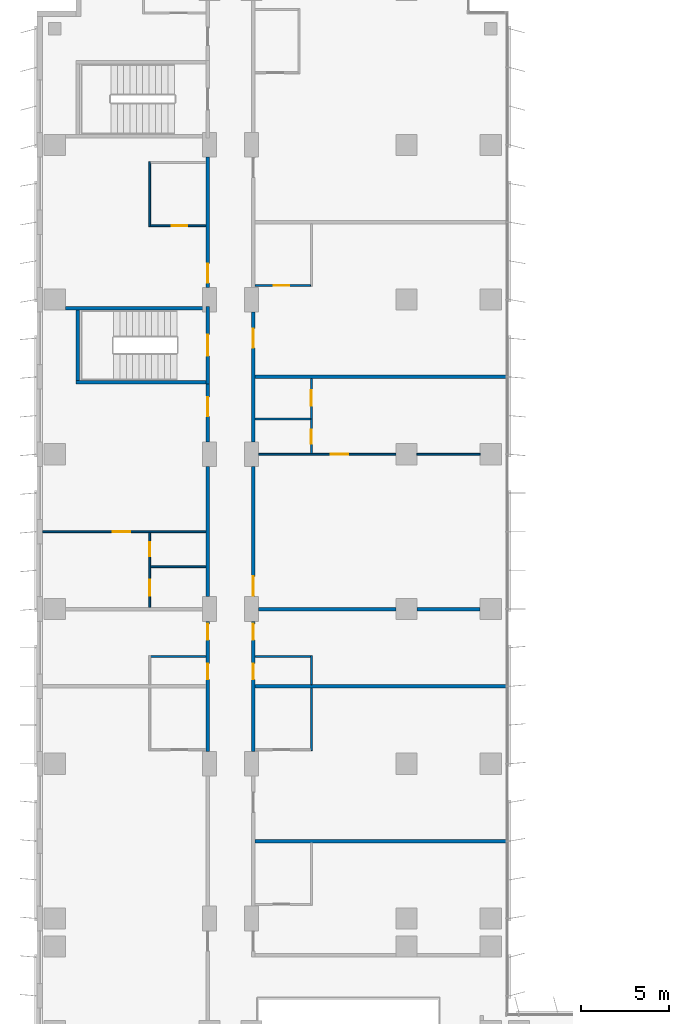
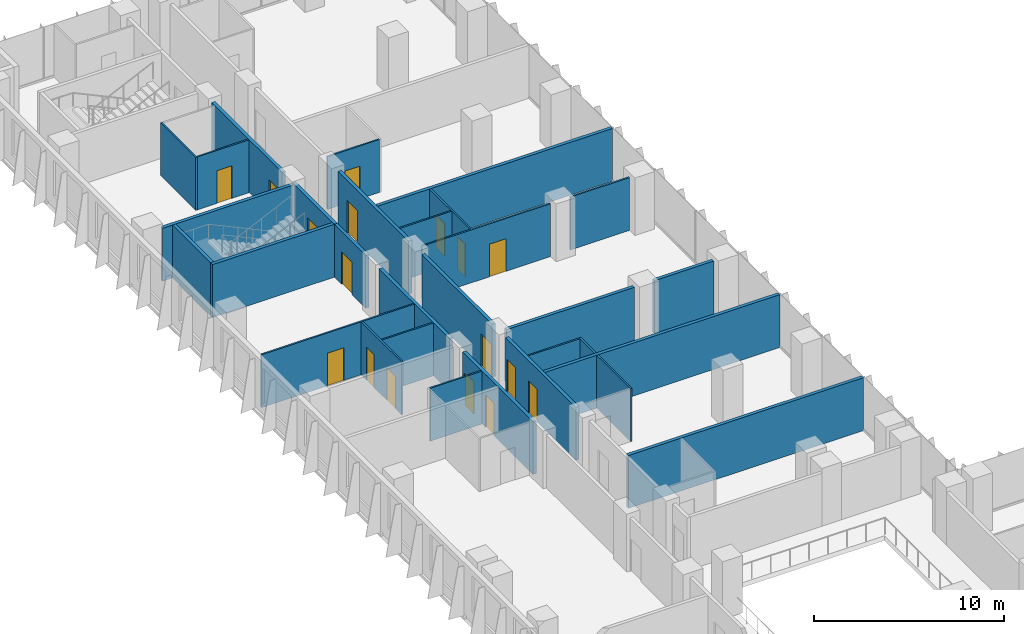
# One storey, part 16 of 22: 30 walls, 17 doors, 17 openings.
"""IFC4 building model written with IfcOpenShell, lengths in metres."""

import ifcopenshell
import ifcopenshell.guid

model = None  # the IFC model being written
_history = None  # IfcOwnerHistory: only IFC2X3 demands one
_inside = {}  # id of a spatial element -> (the spatial element, [elements in it])
_under = {}  # id of a project, library or spatial element -> (it, [spatial elements below it])
_declared = {}  # id of a project -> (the project, [libraries it declares])
_typed = {}  # id of a type object -> (the type object, [elements of that type])
_made_of = {}  # id of a material, layer set ... -> (it, [elements and type objects made of it])


def new_model(schema):
    """Start an empty IFC model of exactly this schema.

    Asked for "IFC4X3", IfcOpenShell would pick the latest addendum, in which some entities
    have other attributes; the version numbers below select the first issue.
    IFC2X3 requires an IfcOwnerHistory on every rooted entity: one is made here for all.
    """
    global model, _history
    if schema == "IFC4X3":
        model = ifcopenshell.file(schema_version=(4, 3, 0, 0))
    else:
        model = ifcopenshell.file(schema=schema)
    _inside.clear()
    _under.clear()
    _declared.clear()
    _typed.clear()
    _made_of.clear()
    _history = None
    if model.schema == "IFC2X3":
        org = make("IfcOrganization", Name="unknown")
        user = make(
            "IfcPersonAndOrganization",
            ThePerson=make("IfcPerson", FamilyName="unknown"),
            TheOrganization=org,
        )
        app = make(
            "IfcApplication",
            ApplicationDeveloper=org,
            Version="unknown",
            ApplicationFullName="unknown",
            ApplicationIdentifier="unknown",
        )
        _history = make(
            "IfcOwnerHistory",
            OwningUser=user,
            OwningApplication=app,
            ChangeAction="ADDED",
            CreationDate=0,
        )
    return model


def make(cls, **values):
    """One entity of the class cls with the attributes given. An attribute that is None is left unset."""
    return model.create_entity(
        cls, **{name: value for name, value in values.items() if value is not None}
    )


def rooted(cls, **values):
    """An entity with a GlobalId (a new one), such as an element, a storey or a relation."""
    return make(cls, GlobalId=ifcopenshell.guid.new(), OwnerHistory=_history, **values)


def si_unit(unit_type, name, prefix=None):
    """IfcSIUnit, for example si_unit("LENGTHUNIT", "METRE", prefix="MILLI")."""
    return make("IfcSIUnit", UnitType=unit_type, Prefix=prefix, Name=name)


def assignment(units):
    """IfcUnitAssignment: the units of a project."""
    return None if units is None else make("IfcUnitAssignment", Units=units)


def point(xyz):
    """IfcCartesianPoint."""
    return None if xyz is None else make("IfcCartesianPoint", Coordinates=xyz)


def direction(xyz):
    """IfcDirection."""
    return None if xyz is None else make("IfcDirection", DirectionRatios=xyz)


def frame(location, z_axis=None, x_axis=None):
    """IfcAxis2Placement3D, a coordinate frame: its origin and axes. An axis left out is left unset."""
    return make(
        "IfcAxis2Placement3D",
        Location=point(location),
        Axis=direction(z_axis),
        RefDirection=direction(x_axis),
    )


def frame_2d(location, x_axis=None):
    """IfcAxis2Placement2D, a coordinate frame in the plane: its origin and x axis."""
    return make(
        "IfcAxis2Placement2D", Location=point(location), RefDirection=direction(x_axis)
    )


def origin():
    """The frame at (0, 0, 0) with its axes left unset."""
    return frame((0.0, 0.0, 0.0))


def place(relative_to, where):
    """IfcLocalPlacement: puts the frame where relative to a parent placement (None: the world)."""
    return make(
        "IfcLocalPlacement", PlacementRelTo=relative_to, RelativePlacement=where
    )


def context(
    kind, dimensions, precision=None, world=None, true_north=None, identifier=None
):
    """IfcGeometricRepresentationContext, for example the 3D "Model" context."""
    return make(
        "IfcGeometricRepresentationContext",
        ContextIdentifier=identifier,
        ContextType=kind,
        CoordinateSpaceDimension=dimensions,
        Precision=precision,
        WorldCoordinateSystem=world,
        TrueNorth=true_north,
    )


def subcontext(parent, identifier, kind, view, scale=None):
    """IfcGeometricRepresentationSubContext, for example "Body" below "Model"."""
    return make(
        "IfcGeometricRepresentationSubContext",
        ContextIdentifier=identifier,
        ContextType=kind,
        ParentContext=parent,
        TargetScale=scale,
        TargetView=view,
    )


def project(units=None, contexts=None):
    """IfcProject with its units and contexts."""
    return rooted(
        "IfcProject",
        Name="project",
        RepresentationContexts=contexts,
        UnitsInContext=assignment(units),
    )


def spatial(cls, under=None, at=None, **own):
    """A site, building, storey or space (cls), placed at a placement, below another one or the project."""
    s = rooted(cls, ObjectPlacement=at, **own)
    if under is not None:
        _under.setdefault(under.id(), (under, []))[1].append(s)
    return s


def profile(cls, at=None, kind="AREA", **sizes):
    """A parametric profile (cls). Its sizes go by their IFC names, for example OverallWidth=200.0."""
    return make(cls, ProfileType=kind, Position=at, **sizes)


def rectangle(**sizes):
    """IfcRectangleProfileDef."""
    return profile("IfcRectangleProfileDef", **sizes)


def extrude(swept, where, along, depth):
    """IfcExtrudedAreaSolid: the profile swept, set in the frame where, extruded along a direction by depth."""
    return make(
        "IfcExtrudedAreaSolid",
        SweptArea=swept,
        Position=where,
        ExtrudedDirection=direction(along),
        Depth=depth,
    )


def shape(context_of_items, identifier, shape_type, items):
    """IfcShapeRepresentation: the items that make up one representation, for example the "Body"."""
    return make(
        "IfcShapeRepresentation",
        ContextOfItems=context_of_items,
        RepresentationIdentifier=identifier,
        RepresentationType=shape_type,
        Items=items,
    )


def material(Name=None, Category=None):
    """IfcMaterial."""
    return make("IfcMaterial", Name=Name, Category=Category)


def layer(
    of_material, thickness, ventilated=None, Name=None, Category=None, Priority=None
):
    """IfcMaterialLayer: one layer of a wall or slab, of a material (None: an air gap)."""
    return make(
        "IfcMaterialLayer",
        Material=of_material,
        LayerThickness=thickness,
        IsVentilated=ventilated,
        Name=Name,
        Category=Category,
        Priority=Priority,
    )


def layer_set(layers, Name=None):
    """IfcMaterialLayerSet."""
    return make("IfcMaterialLayerSet", MaterialLayers=layers, LayerSetName=Name)


def made_of(thing, what):
    """Note that an element or type object is made of a material, layer set ...; save() writes the relation."""
    if what is not None:
        _made_of.setdefault(what.id(), (what, []))[1].append(thing)
    return thing


def type_object(cls, material=None, **own):
    """A type object (cls), such as IfcWallType, which elements share."""
    return made_of(rooted(cls, **own), material)


def element(
    cls,
    number,
    at=None,
    inside=None,
    cuts=None,
    type_object=None,
    material=None,
    context=None,
    identifier="Body",
    shape_type=None,
    held_by="IfcProductDefinitionShape",
    body=None,
    shapes=None,
    **own,
):
    """One element of the class cls, such as IfcWall. Its Tag is "e" and its number.

    at: its placement. inside: the storey or other place that contains it. cuts: it is an
    opening in that element (IfcRelVoidsElement). A single representation is given by context,
    identifier, shape_type and body (its items); several are given by shapes. held_by: the class
    of the entity that holds the representations. save() writes the other relations.
    """
    e = rooted(cls, Tag="e%d" % number, ObjectPlacement=at, **own)
    if body is not None:
        shapes = [shape(context, identifier, shape_type, body)]
    if shapes is not None:
        e.Representation = make(held_by, Representations=shapes)
    if inside is not None:
        _inside.setdefault(inside.id(), (inside, []))[1].append(e)
    if cuts is not None:
        rooted(
            "IfcRelVoidsElement", RelatingBuildingElement=cuts, RelatedOpeningElement=e
        )
    if type_object is not None:
        _typed.setdefault(type_object.id(), (type_object, []))[1].append(e)
    return made_of(e, material)


def fill(opening, filler):
    """IfcRelFillsElement: the door or window that sits in an opening."""
    return rooted(
        "IfcRelFillsElement",
        RelatingOpeningElement=opening,
        RelatedBuildingElement=filler,
    )


def aggregate(whole, parts):
    """IfcRelAggregates: a whole, such as a stair, and the parts it consists of."""
    return rooted("IfcRelAggregates", RelatingObject=whole, RelatedObjects=parts)


def save(model, path):
    """Write the relations noted so far, then the file.

    IfcRelAggregates (storeys below a building ...), IfcRelContainedInSpatialStructure (elements
    in a storey), IfcRelDefinesByType, IfcRelAssociatesMaterial and IfcRelDeclares: one each for
    every whole, place, type object, material and project.
    """
    for whole, parts in _under.values():
        aggregate(whole, parts)
    for where, things in _inside.values():
        rooted(
            "IfcRelContainedInSpatialStructure",
            RelatedElements=things,
            RelatingStructure=where,
        )
    for kind, things in _typed.values():
        rooted("IfcRelDefinesByType", RelatedObjects=things, RelatingType=kind)
    for what, things in _made_of.values():
        rooted("IfcRelAssociatesMaterial", RelatedObjects=things, RelatingMaterial=what)
    for by, libraries in _declared.values():
        rooted("IfcRelDeclares", RelatingContext=by, RelatedDefinitions=libraries)
    model.write(path)


model = new_model("IFC4")

# Units and contexts
model_context = context("Model", 3, precision=1e-05, world=origin(), true_north=direction((0.0, 1.0)))
body_context = subcontext(model_context, "Body", "Model", "MODEL_VIEW")
ifc_project = project(units=[si_unit("LENGTHUNIT", "METRE"), si_unit("AREAUNIT", "SQUARE_METRE"), si_unit("VOLUMEUNIT", "CUBIC_METRE"), si_unit("PLANEANGLEUNIT", "RADIAN"), si_unit("MASSUNIT", "GRAM", prefix="KILO")], contexts=[model_context])

# Site, building, storey
site_placement = place(None, origin())
site = spatial("IfcSite", under=ifc_project, at=site_placement, CompositionType="ELEMENT")
building_placement = place(site_placement, origin())
building = spatial("IfcBuilding", under=site, at=building_placement, Name="Kemantara Hotel Tower", CompositionType="ELEMENT")
storey_placement = place(building_placement, frame((0.0, 0.0, 122.199951171875)))
storey = spatial("IfcBuildingStorey", under=building, at=storey_placement, Name="L29", CompositionType="ELEMENT", Elevation=122.199951171875)

# Wall, openings, doors
ifc_material_1 = material(Name="Gypsum board partition, steel studs and mineral wool, 200 mm", Category="steel")
ifc_layer_1 = layer(ifc_material_1, 0.199951171875)
ifc_layer_set_1 = layer_set([ifc_layer_1], Name="Gypsum board partition, steel studs and mineral wool, 200 mm")
wall_type_1 = type_object("IfcWallType", Name="CORRIDOR WALL 200", PredefinedType="PARTITIONING", material=ifc_layer_set_1)
wall_1_placement = place(storey_placement, frame((9.699951171875, 36.900146484375, 0.0), z_axis=(0.0, 0.0, 1.0), x_axis=(0.0, 1.0, 0.0)))
wall_1 = element("IfcWall", 1, at=wall_1_placement, inside=storey, type_object=wall_type_1, Name="CORRIDOR WALL 200 018", PredefinedType="PARTITIONING", context=body_context, shape_type="SweptSolid", body=[
    extrude(rectangle(XDim=7.399658203125, YDim=0.199951171875, at=frame_2d((3.69970703125, 0.0))), origin(), (0.0, 0.0, 1.0), 3.400146484375),
])
opening_1_placement = place(wall_1_placement, frame((6.349853515625, 0.0, 0.0)))
opening_1 = element("IfcOpeningElement", 2, at=opening_1_placement, cuts=wall_1, Name="Opening F13-020", PredefinedType="OPENING", context=body_context, shape_type="SweptSolid", body=[
    extrude(rectangle(XDim=0.89990234375, YDim=2.10009765625, at=frame_2d((0.449951171875, 1.050048828125))), frame((0.0, 0.10986328125, 0.0), z_axis=(0.0, -1.0, 0.0), x_axis=(1.0, 0.0, 0.0)), (0.0, 0.0, 1.0), 0.219970703125),
])
opening_2_placement = place(wall_1_placement, frame((4.099853515625, 0.0, 0.0)))
opening_2 = element("IfcOpeningElement", 3, at=opening_2_placement, cuts=wall_1, Name="Opening F13-021", PredefinedType="OPENING", context=body_context, shape_type="SweptSolid", body=[
    extrude(rectangle(XDim=0.89990234375, YDim=2.10009765625, at=frame_2d((0.449951171875, 1.050048828125))), frame((0.0, 0.10986328125, 0.0), z_axis=(0.0, -1.0, 0.0), x_axis=(1.0, 0.0, 0.0)), (0.0, 0.0, 1.0), 0.219970703125),
])
ifc_material_2 = material(Name="Steel door leaf with steel frame", Category="steel")
door_type_1 = type_object("IfcDoorType", Name="SERVICE ROOM DOOR 900 X 2100 FD60", OperationType="NOTDEFINED", PredefinedType="DOOR", material=ifc_material_2)
door_1_placement = place(opening_1_placement, origin())
door_1 = element("IfcDoor", 4, at=door_1_placement, inside=storey, type_object=door_type_1, Name="SERVICE ROOM DOOR F13-020", OperationType="SINGLE_SWING_RIGHT", OverallHeight=2.10009765625, OverallWidth=0.89990234375, PredefinedType="DOOR", context=body_context, shape_type="SweptSolid", body=[
    extrude(rectangle(XDim=0.89990234375, YDim=2.10009765625, at=frame_2d((0.449951171875, 1.050048828125))), frame((0.0, 0.02490234375, 0.0), z_axis=(0.0, -1.0, 0.0), x_axis=(1.0, 0.0, 0.0)), (0.0, 0.0, 1.0), 0.050048828125),
])
fill(opening_1, door_1)
door_2_placement = place(opening_2_placement, origin())
door_2 = element("IfcDoor", 5, at=door_2_placement, inside=storey, type_object=door_type_1, Name="SERVICE ROOM DOOR F13-021", OperationType="SINGLE_SWING_LEFT", OverallHeight=2.10009765625, OverallWidth=0.89990234375, PredefinedType="DOOR", context=body_context, shape_type="SweptSolid", body=[
    extrude(rectangle(XDim=0.89990234375, YDim=2.10009765625, at=frame_2d((0.449951171875, 1.050048828125))), frame((0.0, 0.02490234375, 0.0), z_axis=(0.0, -1.0, 0.0), x_axis=(1.0, 0.0, 0.0)), (0.0, 0.0, 1.0), 0.050048828125),
])
fill(opening_2, door_2)

# Wall
wall_2_placement = place(storey_placement, frame((9.699951171875, 45.7001953125, 0.0), z_axis=(0.0, 0.0, 1.0), x_axis=(0.0, 1.0, 0.0)))
element("IfcWall", 6, at=wall_2_placement, inside=storey, type_object=wall_type_1, Name="CORRIDOR WALL 200 019", PredefinedType="PARTITIONING", context=body_context, shape_type="SweptSolid", body=[
    extrude(rectangle(XDim=7.399658203125, YDim=0.199951171875, at=frame_2d((3.69970703125, 0.0))), origin(), (0.0, 0.0, 1.0), 3.400146484375),
])

# Wall, opening, door
wall_3_placement = place(storey_placement, frame((9.699951171875, 54.5, 0.0), z_axis=(0.0, 0.0, 1.0), x_axis=(0.0, 1.0, 0.0)))
wall_3 = element("IfcWall", 7, at=wall_3_placement, inside=storey, type_object=wall_type_1, Name="CORRIDOR WALL 200 020", PredefinedType="PARTITIONING", context=body_context, shape_type="SweptSolid", body=[
    extrude(rectangle(XDim=3.300048828125, YDim=0.199951171875, at=frame_2d((1.64990234375, 0.0))), origin(), (0.0, 0.0, 1.0), 3.400146484375),
])
opening_3_placement = place(wall_3_placement, frame((1.449951171875, 0.0, 0.0)))
opening_3 = element("IfcOpeningElement", 8, at=opening_3_placement, cuts=wall_3, Name="Opening F13-022", PredefinedType="OPENING", context=body_context, shape_type="SweptSolid", body=[
    extrude(rectangle(XDim=1.10009765625, YDim=2.10009765625, at=frame_2d((0.550048828125, 1.050048828125))), frame((0.0, 0.10986328125, 0.0), z_axis=(0.0, -1.0, 0.0), x_axis=(1.0, 0.0, 0.0)), (0.0, 0.0, 1.0), 0.219970703125),
])
ifc_material_3 = material(Name="Hardwood veneer door leaf with steel frame", Category="steel")
door_type_2 = type_object("IfcDoorType", Name="SUITE ENTRANCE DOOR 1100 X 2100 FD30S", OperationType="NOTDEFINED", PredefinedType="DOOR", material=ifc_material_3)
door_3_placement = place(opening_3_placement, origin())
door_3 = element("IfcDoor", 9, at=door_3_placement, inside=storey, type_object=door_type_2, Name="SUITE ENTRANCE DOOR F13-022", OperationType="SINGLE_SWING_RIGHT", OverallHeight=2.10009765625, OverallWidth=1.10009765625, PredefinedType="DOOR", context=body_context, shape_type="SweptSolid", body=[
    extrude(rectangle(XDim=1.10009765625, YDim=2.10009765625, at=frame_2d((0.550048828125, 1.050048828125))), frame((0.0, 0.02490234375, 0.0), z_axis=(0.0, -1.0, 0.0), x_axis=(1.0, 0.0, 0.0)), (0.0, 0.0, 1.0), 0.050048828125),
])
fill(opening_3, door_3)

wall_4_placement = place(storey_placement, frame((9.699951171875, 63.300048828125, 0.0), z_axis=(0.0, 0.0, 1.0), x_axis=(0.0, 1.0, 0.0)))
wall_4 = element("IfcWall", 10, at=wall_4_placement, inside=storey, type_object=wall_type_1, Name="CORRIDOR WALL 200 021", PredefinedType="PARTITIONING", context=body_context, shape_type="SweptSolid", body=[
    extrude(rectangle(XDim=7.39990234375, YDim=0.199951171875, at=frame_2d((3.699951171875, 0.0))), origin(), (0.0, 0.0, 1.0), 3.400146484375),
])
opening_4_placement = place(wall_4_placement, frame((0.25, 0.0, 0.0)))
opening_4 = element("IfcOpeningElement", 11, at=opening_4_placement, cuts=wall_4, Name="Opening F13-026", PredefinedType="OPENING", context=body_context, shape_type="SweptSolid", body=[
    extrude(rectangle(XDim=1.10009765625, YDim=2.10009765625, at=frame_2d((0.550048828125, 1.050048828125))), frame((0.0, 0.10986328125, 0.0), z_axis=(0.0, -1.0, 0.0), x_axis=(1.0, 0.0, 0.0)), (0.0, 0.0, 1.0), 0.219970703125),
])
door_4_placement = place(opening_4_placement, origin())
door_4 = element("IfcDoor", 12, at=door_4_placement, inside=storey, type_object=door_type_2, Name="SUITE ENTRANCE DOOR F13-026", OperationType="SINGLE_SWING_LEFT", OverallHeight=2.10009765625, OverallWidth=1.10009765625, PredefinedType="DOOR", context=body_context, shape_type="SweptSolid", body=[
    extrude(rectangle(XDim=1.10009765625, YDim=2.10009765625, at=frame_2d((0.550048828125, 1.050048828125))), frame((0.0, 0.02490234375, 0.0), z_axis=(0.0, -1.0, 0.0), x_axis=(1.0, 0.0, 0.0)), (0.0, 0.0, 1.0), 0.050048828125),
])
fill(opening_4, door_4)

# Wall, openings, doors
wall_5_placement = place(storey_placement, frame((12.300048828125, 44.2998046875, 0.0), z_axis=(0.0, 0.0, 1.0), x_axis=(0.0, -1.0, 0.0)))
wall_5 = element("IfcWall", 13, at=wall_5_placement, inside=storey, type_object=wall_type_1, Name="CORRIDOR WALL 200 031", PredefinedType="PARTITIONING", context=body_context, shape_type="SweptSolid", body=[
    extrude(rectangle(XDim=7.399658203125, YDim=0.199951171875, at=frame_2d((3.69970703125, 0.0))), origin(), (0.0, 0.0, 1.0), 3.400146484375),
])
opening_5_placement = place(wall_5_placement, frame((0.14990234375, 0.0, 0.0)))
opening_5 = element("IfcOpeningElement", 14, at=opening_5_placement, cuts=wall_5, Name="Opening F13-034", PredefinedType="OPENING", context=body_context, shape_type="SweptSolid", body=[
    extrude(rectangle(XDim=0.89990234375, YDim=2.10009765625, at=frame_2d((0.449951171875, 1.050048828125))), frame((0.0, 0.10986328125, 0.0), z_axis=(0.0, -1.0, 0.0), x_axis=(1.0, 0.0, 0.0)), (0.0, 0.0, 1.0), 0.219970703125),
])
opening_6_placement = place(wall_5_placement, frame((2.39990234375, 0.0, 0.0)))
opening_6 = element("IfcOpeningElement", 15, at=opening_6_placement, cuts=wall_5, Name="Opening F13-035", PredefinedType="OPENING", context=body_context, shape_type="SweptSolid", body=[
    extrude(rectangle(XDim=0.89990234375, YDim=2.10009765625, at=frame_2d((0.449951171875, 1.050048828125))), frame((0.0, 0.10986328125, 0.0), z_axis=(0.0, -1.0, 0.0), x_axis=(1.0, 0.0, 0.0)), (0.0, 0.0, 1.0), 0.219970703125),
])
door_5_placement = place(opening_5_placement, origin())
door_5 = element("IfcDoor", 16, at=door_5_placement, inside=storey, type_object=door_type_1, Name="SERVICE ROOM DOOR F13-034", OperationType="SINGLE_SWING_LEFT", OverallHeight=2.10009765625, OverallWidth=0.89990234375, PredefinedType="DOOR", context=body_context, shape_type="SweptSolid", body=[
    extrude(rectangle(XDim=0.89990234375, YDim=2.10009765625, at=frame_2d((0.449951171875, 1.050048828125))), frame((0.0, 0.02490234375, 0.0), z_axis=(0.0, -1.0, 0.0), x_axis=(1.0, 0.0, 0.0)), (0.0, 0.0, 1.0), 0.050048828125),
])
fill(opening_5, door_5)
door_6_placement = place(opening_6_placement, origin())
door_6 = element("IfcDoor", 17, at=door_6_placement, inside=storey, type_object=door_type_1, Name="SERVICE ROOM DOOR F13-035", OperationType="SINGLE_SWING_RIGHT", OverallHeight=2.10009765625, OverallWidth=0.89990234375, PredefinedType="DOOR", context=body_context, shape_type="SweptSolid", body=[
    extrude(rectangle(XDim=0.89990234375, YDim=2.10009765625, at=frame_2d((0.449951171875, 1.050048828125))), frame((0.0, 0.02490234375, 0.0), z_axis=(0.0, -1.0, 0.0), x_axis=(1.0, 0.0, 0.0)), (0.0, 0.0, 1.0), 0.050048828125),
])
fill(opening_6, door_6)

# Wall, opening, door
wall_6_placement = place(storey_placement, frame((12.300048828125, 53.099853515625, 0.0), z_axis=(0.0, 0.0, 1.0), x_axis=(0.0, -1.0, 0.0)))
wall_6 = element("IfcWall", 18, at=wall_6_placement, inside=storey, type_object=wall_type_1, Name="CORRIDOR WALL 200 032", PredefinedType="PARTITIONING", context=body_context, shape_type="SweptSolid", body=[
    extrude(rectangle(XDim=7.399658203125, YDim=0.199951171875, at=frame_2d((3.69970703125, 0.0))), origin(), (0.0, 0.0, 1.0), 3.400146484375),
])
opening_7_placement = place(wall_6_placement, frame((6.25, 0.0, 0.0)))
opening_7 = element("IfcOpeningElement", 19, at=opening_7_placement, cuts=wall_6, Name="Opening F13-036", PredefinedType="OPENING", context=body_context, shape_type="SweptSolid", body=[
    extrude(rectangle(XDim=1.10009765625, YDim=2.10009765625, at=frame_2d((0.550048828125, 1.050048828125))), frame((0.0, 0.10986328125, 0.0), z_axis=(0.0, -1.0, 0.0), x_axis=(1.0, 0.0, 0.0)), (0.0, 0.0, 1.0), 0.219970703125),
])
door_7_placement = place(opening_7_placement, origin())
door_7 = element("IfcDoor", 20, at=door_7_placement, inside=storey, type_object=door_type_2, Name="SUITE ENTRANCE DOOR F13-036", OperationType="SINGLE_SWING_RIGHT", OverallHeight=2.10009765625, OverallWidth=1.10009765625, PredefinedType="DOOR", context=body_context, shape_type="SweptSolid", body=[
    extrude(rectangle(XDim=1.10009765625, YDim=2.10009765625, at=frame_2d((0.550048828125, 1.050048828125))), frame((0.0, 0.02490234375, 0.0), z_axis=(0.0, -1.0, 0.0), x_axis=(1.0, 0.0, 0.0)), (0.0, 0.0, 1.0), 0.050048828125),
])
fill(opening_7, door_7)

wall_7_placement = place(storey_placement, frame((12.300048828125, 61.89990234375, 0.0), z_axis=(0.0, 0.0, 1.0), x_axis=(0.0, -1.0, 0.0)))
wall_7 = element("IfcWall", 21, at=wall_7_placement, inside=storey, type_object=wall_type_1, Name="CORRIDOR WALL 200 033", PredefinedType="PARTITIONING", context=body_context, shape_type="SweptSolid", body=[
    extrude(rectangle(XDim=7.39990234375, YDim=0.199951171875, at=frame_2d((3.699951171875, 0.0))), origin(), (0.0, 0.0, 1.0), 3.400146484375),
])
opening_8_placement = place(wall_7_placement, frame((0.949951171875, 0.0, 0.0)))
opening_8 = element("IfcOpeningElement", 22, at=opening_8_placement, cuts=wall_7, Name="Opening F13-040", PredefinedType="OPENING", context=body_context, shape_type="SweptSolid", body=[
    extrude(rectangle(XDim=1.10009765625, YDim=2.10009765625, at=frame_2d((0.550048828125, 1.050048828125))), frame((0.0, 0.10986328125, 0.0), z_axis=(0.0, -1.0, 0.0), x_axis=(1.0, 0.0, 0.0)), (0.0, 0.0, 1.0), 0.219970703125),
])
door_8_placement = place(opening_8_placement, origin())
door_8 = element("IfcDoor", 23, at=door_8_placement, inside=storey, type_object=door_type_2, Name="SUITE ENTRANCE DOOR F13-040", OperationType="SINGLE_SWING_RIGHT", OverallHeight=2.10009765625, OverallWidth=1.10009765625, PredefinedType="DOOR", context=body_context, shape_type="SweptSolid", body=[
    extrude(rectangle(XDim=1.10009765625, YDim=2.10009765625, at=frame_2d((0.550048828125, 1.050048828125))), frame((0.0, 0.02490234375, 0.0), z_axis=(0.0, -1.0, 0.0), x_axis=(1.0, 0.0, 0.0)), (0.0, 0.0, 1.0), 0.050048828125),
])
fill(opening_8, door_8)

ifc_material_4 = material(Name="Concrete fc 40 MPa", Category="concrete")
ifc_layer_2 = layer(ifc_material_4, 0.199951171875)
ifc_layer_set_2 = layer_set([ifc_layer_2], Name="Concrete fc 40 MPa")
wall_type_2 = type_object("IfcWallType", Name="Concrete stair wall 200 mm", PredefinedType="SHEAR", material=ifc_layer_set_2)
wall_8_placement = place(storey_placement, frame((9.699951171875, 57.800048828125, 0.0), z_axis=(0.0, 0.0, 1.0), x_axis=(0.0, 1.0, 0.0)))
wall_8 = element("IfcWall", 24, at=wall_8_placement, inside=storey, type_object=wall_type_2, Name="Stair ST4 enclosure wall with door", PredefinedType="SHEAR", context=body_context, shape_type="SweptSolid", body=[
    extrude(rectangle(XDim=4.39990234375, YDim=0.199951171875, at=frame_2d((2.199951171875, 0.0))), origin(), (0.0, 0.0, 1.0), 3.400146484375),
])
opening_9_placement = place(wall_8_placement, frame((1.60009765625, 0.0, 0.0)))
opening_9 = element("IfcOpeningElement", 25, at=opening_9_placement, cuts=wall_8, Name="Opening ST4-C", PredefinedType="OPENING", context=body_context, shape_type="SweptSolid", body=[
    extrude(rectangle(XDim=1.199951171875, YDim=2.10009765625, at=frame_2d((0.60009765625, 1.050048828125))), frame((0.0, 0.10986328125, 0.0), z_axis=(0.0, -1.0, 0.0), x_axis=(1.0, 0.0, 0.0)), (0.0, 0.0, 1.0), 0.219970703125),
])
ifc_material_5 = material(Name="Steel fire door", Category="steel")
door_type_3 = type_object("IfcDoorType", Name="Fire door FD90 1200 x 2100", OperationType="NOTDEFINED", PredefinedType="DOOR", material=ifc_material_5)
door_9_placement = place(opening_9_placement, origin())
door_9 = element("IfcDoor", 26, at=door_9_placement, inside=storey, type_object=door_type_3, Name="Stair ST4 door", OperationType="SINGLE_SWING_RIGHT", OverallHeight=2.10009765625, OverallWidth=1.199951171875, PredefinedType="DOOR", context=body_context, shape_type="SweptSolid", body=[
    extrude(rectangle(XDim=1.199951171875, YDim=2.10009765625, at=frame_2d((0.60009765625, 1.050048828125))), frame((0.0, 0.02490234375, 0.0), z_axis=(0.0, -1.0, 0.0), x_axis=(1.0, 0.0, 0.0)), (0.0, 0.0, 1.0), 0.050048828125),
])
fill(opening_9, door_9)

# Walls
wall_9_placement = place(storey_placement, frame((1.60009765625, 62.10009765625, 0.0), z_axis=(0.0, 0.0, 1.0), x_axis=(1.0, 0.0, 0.0)))
element("IfcWall", 27, at=wall_9_placement, inside=storey, type_object=wall_type_2, Name="Stair ST4 enclosure wall N", PredefinedType="SHEAR", context=body_context, shape_type="SweptSolid", body=[
    extrude(rectangle(XDim=8.0, YDim=0.199951171875, at=frame_2d((4.0, 0.0))), origin(), (0.0, 0.0, 1.0), 3.400146484375),
])
wall_10_placement = place(storey_placement, frame((2.199951171875, 57.89990234375, 0.0), z_axis=(0.0, 0.0, 1.0), x_axis=(1.0, 0.0, 0.0)))
element("IfcWall", 28, at=wall_10_placement, inside=storey, type_object=wall_type_2, Name="Stair ST4 enclosure wall S", PredefinedType="SHEAR", context=body_context, shape_type="SweptSolid", body=[
    extrude(rectangle(XDim=7.400146484375, YDim=0.199951171875, at=frame_2d((3.7001953125, 0.0))), origin(), (0.0, 0.0, 1.0), 3.400146484375),
])
wall_11_placement = place(storey_placement, frame((2.300048828125, 58.0, 0.0), z_axis=(0.0, 0.0, 1.0), x_axis=(0.0, 1.0, 0.0)))
element("IfcWall", 29, at=wall_11_placement, inside=storey, type_object=wall_type_2, Name="Stair ST4 enclosure wall W", PredefinedType="SHEAR", context=body_context, shape_type="SweptSolid", body=[
    extrude(rectangle(XDim=4.0, YDim=0.199951171875, at=frame_2d((2.0, 0.0))), origin(), (0.0, 0.0, 1.0), 3.400146484375),
])
ifc_layer_3 = layer(ifc_material_1, 0.199951171875)
ifc_layer_set_3 = layer_set([ifc_layer_3], Name="Gypsum board partition, steel studs and mineral wool, 200 mm")
wall_type_3 = type_object("IfcWallType", Name="GUEST ROOM PARTY WALL 200", PredefinedType="PARTITIONING", material=ifc_layer_set_3)
wall_12_placement = place(storey_placement, frame((12.39990234375, 40.60009765625, 0.0), z_axis=(0.0, 0.0, 1.0), x_axis=(1.0, 0.0, 0.0)))
element("IfcWall", 30, at=wall_12_placement, inside=storey, type_object=wall_type_3, Name="GUEST ROOM PARTY WALL 200 025", PredefinedType="PARTITIONING", context=body_context, shape_type="SweptSolid", body=[
    extrude(rectangle(XDim=14.27001953125, YDim=0.199951171875, at=frame_2d((7.135009765625, 0.0))), origin(), (0.0, 0.0, 1.0), 3.400146484375),
])
wall_13_placement = place(storey_placement, frame((12.60009765625, 45.0, 0.0), z_axis=(0.0, 0.0, 1.0), x_axis=(1.0, 0.0, 0.0)))
element("IfcWall", 31, at=wall_13_placement, inside=storey, type_object=wall_type_3, Name="GUEST ROOM PARTY WALL 200 027", PredefinedType="PARTITIONING", context=body_context, shape_type="SweptSolid", body=[
    extrude(rectangle(XDim=7.7998046875, YDim=0.199951171875, at=frame_2d((3.89990234375, 0.0))), origin(), (0.0, 0.0, 1.0), 3.400146484375),
])
wall_14_placement = place(storey_placement, frame((21.60009765625, 45.0, 0.0), z_axis=(0.0, 0.0, 1.0), x_axis=(1.0, 0.0, 0.0)))
element("IfcWall", 32, at=wall_14_placement, inside=storey, type_object=wall_type_3, Name="GUEST ROOM PARTY WALL 200 028", PredefinedType="PARTITIONING", context=body_context, shape_type="SweptSolid", body=[
    extrude(rectangle(XDim=3.599853515625, YDim=0.199951171875, at=frame_2d((1.7998046875, 0.0))), origin(), (0.0, 0.0, 1.0), 3.400146484375),
])
for number, where, z_axis, x_axis, name in (
    (33, (12.39990234375, 31.800048828125, 0.0), (0.0, 0.0, 1.0), (1.0, 0.0, 0.0), "GUEST ROOM PARTY WALL 200 038"),
    (34, (12.39990234375, 58.199951171875, 0.0), (0.0, 0.0, 1.0), (1.0, 0.0, 0.0), "GUEST ROOM PARTY WALL 200 039"),
):
    element("IfcWall", number, at=place(storey_placement, frame(where, z_axis=z_axis, x_axis=x_axis)), inside=storey, type_object=wall_type_3, Name=name, PredefinedType="PARTITIONING", context=body_context, shape_type="SweptSolid", body=[
        extrude(rectangle(XDim=14.27001953125, YDim=0.199951171875, at=frame_2d((7.135009765625, 0.0))), origin(), (0.0, 0.0, 1.0), 3.400146484375),
    ])

# Wall, openings, doors
ifc_material_6 = material(Name="Gypsum board partition on steel studs, 100 mm", Category="steel")
ifc_layer_4 = layer(ifc_material_6, 0.10009765625)
ifc_layer_set_4 = layer_set([ifc_layer_4], Name="Gypsum board partition on steel studs, 100 mm")
wall_type_4 = type_object("IfcWallType", Name="ROOM PARTITION 100", PredefinedType="PARTITIONING", material=ifc_layer_set_4)
wall_15_placement = place(storey_placement, frame((6.39990234375, 49.35009765625, 0.0), z_axis=(0.0, 0.0, 1.0), x_axis=(0.0, -1.0, 0.0)))
wall_15 = element("IfcWall", 35, at=wall_15_placement, inside=storey, type_object=wall_type_4, Name="ROOM PARTITION 100 063", PredefinedType="PARTITIONING", context=body_context, shape_type="SweptSolid", body=[
    extrude(rectangle(XDim=4.25, YDim=0.10009765625, at=frame_2d((2.125, 0.0))), origin(), (0.0, 0.0, 1.0), 3.400146484375),
])
opening_10_placement = place(wall_15_placement, frame((2.699951171875, 0.0, 0.0)))
opening_10 = element("IfcOpeningElement", 36, at=opening_10_placement, cuts=wall_15, Name="Opening F13-024", PredefinedType="OPENING", context=body_context, shape_type="SweptSolid", body=[
    extrude(rectangle(XDim=0.89990234375, YDim=2.10009765625, at=frame_2d((0.449951171875, 1.050048828125))), frame((0.0, 0.06005859375, 0.0), z_axis=(0.0, -1.0, 0.0), x_axis=(1.0, 0.0, 0.0)), (0.0, 0.0, 1.0), 0.1201171875),
])
opening_11_placement = place(wall_15_placement, frame((0.550048828125, 0.0, 0.0)))
opening_11 = element("IfcOpeningElement", 37, at=opening_11_placement, cuts=wall_15, Name="Opening F13-025", PredefinedType="OPENING", context=body_context, shape_type="SweptSolid", body=[
    extrude(rectangle(XDim=0.800048828125, YDim=2.10009765625, at=frame_2d((0.39990234375, 1.050048828125))), frame((0.0, 0.06005859375, 0.0), z_axis=(0.0, -1.0, 0.0), x_axis=(1.0, 0.0, 0.0)), (0.0, 0.0, 1.0), 0.1201171875),
])
door_type_4 = type_object("IfcDoorType", Name="BATHROOM DOOR 900 X 2100", OperationType="NOTDEFINED", PredefinedType="DOOR", material=ifc_material_3)
door_10_placement = place(opening_10_placement, origin())
door_10 = element("IfcDoor", 38, at=door_10_placement, inside=storey, type_object=door_type_4, Name="BATHROOM DOOR F13-024", OperationType="SINGLE_SWING_LEFT", OverallHeight=2.10009765625, OverallWidth=0.89990234375, PredefinedType="DOOR", context=body_context, shape_type="SweptSolid", body=[
    extrude(rectangle(XDim=0.89990234375, YDim=2.10009765625, at=frame_2d((0.449951171875, 1.050048828125))), frame((0.0, 0.02490234375, 0.0), z_axis=(0.0, -1.0, 0.0), x_axis=(1.0, 0.0, 0.0)), (0.0, 0.0, 1.0), 0.050048828125),
])
fill(opening_10, door_10)
door_type_5 = type_object("IfcDoorType", Name="WARDROBE DOOR 800 X 2100", OperationType="NOTDEFINED", PredefinedType="DOOR", material=ifc_material_3)
door_11_placement = place(opening_11_placement, origin())
door_11 = element("IfcDoor", 39, at=door_11_placement, inside=storey, type_object=door_type_5, Name="WARDROBE DOOR F13-025", OperationType="SINGLE_SWING_LEFT", OverallHeight=2.10009765625, OverallWidth=0.800048828125, PredefinedType="DOOR", context=body_context, shape_type="SweptSolid", body=[
    extrude(rectangle(XDim=0.800048828125, YDim=2.10009765625, at=frame_2d((0.39990234375, 1.050048828125))), frame((0.0, 0.02490234375, 0.0), z_axis=(0.0, -1.0, 0.0), x_axis=(1.0, 0.0, 0.0)), (0.0, 0.0, 1.0), 0.050048828125),
])
fill(opening_11, door_11)

# Walls
wall_16_placement = place(storey_placement, frame((6.39990234375, 66.75, 0.0), z_axis=(0.0, 0.0, 1.0), x_axis=(0.0, 1.0, 0.0)))
element("IfcWall", 40, at=wall_16_placement, inside=storey, type_object=wall_type_4, Name="ROOM PARTITION 100 064", PredefinedType="PARTITIONING", context=body_context, shape_type="SweptSolid", body=[
    extrude(rectangle(XDim=3.699951171875, YDim=0.10009765625, at=frame_2d((1.85009765625, 0.0))), origin(), (0.0, 0.0, 1.0), 3.400146484375),
])
for number, where, z_axis, x_axis, name in (
    (41, (6.449951171875, 42.300048828125, 0.0), (0.0, 0.0, 1.0), (1.0, 0.0, 0.0), "ROOM PARTITION 100 067"),
    (42, (12.39990234375, 42.300048828125, 0.0), (0.0, 0.0, 1.0), (1.0, 0.0, 0.0), "ROOM PARTITION 100 068"),
):
    element("IfcWall", number, at=place(storey_placement, frame(where, z_axis=z_axis, x_axis=x_axis)), inside=storey, type_object=wall_type_4, Name=name, PredefinedType="PARTITIONING", context=body_context, shape_type="SweptSolid", body=[
        extrude(rectangle(XDim=3.150146484375, YDim=0.10009765625, at=frame_2d((1.5751953125, 0.0))), origin(), (0.0, 0.0, 1.0), 3.400146484375),
    ])

# Wall, opening, door
wall_17_placement = place(storey_placement, frame((9.60009765625, 49.39990234375, 0.0), z_axis=(0.0, 0.0, 1.0), x_axis=(-1.0, 0.0, 0.0)))
wall_17 = element("IfcWall", 43, at=wall_17_placement, inside=storey, type_object=wall_type_4, Name="ROOM PARTITION 100 069", PredefinedType="PARTITIONING", context=body_context, shape_type="SweptSolid", body=[
    extrude(rectangle(XDim=9.2900390625, YDim=0.10009765625, at=frame_2d((4.64501953125, 0.0))), origin(), (0.0, 0.0, 1.0), 3.400146484375),
])
opening_12_placement = place(wall_17_placement, frame((4.300048828125, 0.0, 0.0)))
opening_12 = element("IfcOpeningElement", 44, at=opening_12_placement, cuts=wall_17, Name="Opening F13-023", PredefinedType="OPENING", context=body_context, shape_type="SweptSolid", body=[
    extrude(rectangle(XDim=1.0, YDim=2.10009765625, at=frame_2d((0.5, 1.050048828125))), frame((0.0, 0.06005859375, 0.0), z_axis=(0.0, -1.0, 0.0), x_axis=(1.0, 0.0, 0.0)), (0.0, 0.0, 1.0), 0.1201171875),
])
door_type_6 = type_object("IfcDoorType", Name="INTERNAL DOOR 1000 X 2100", OperationType="NOTDEFINED", PredefinedType="DOOR", material=ifc_material_3)
door_12_placement = place(opening_12_placement, origin())
door_12 = element("IfcDoor", 45, at=door_12_placement, inside=storey, type_object=door_type_6, Name="INTERNAL DOOR F13-023", OperationType="SINGLE_SWING_LEFT", OverallHeight=2.10009765625, OverallWidth=1.0, PredefinedType="DOOR", context=body_context, shape_type="SweptSolid", body=[
    extrude(rectangle(XDim=1.0, YDim=2.10009765625, at=frame_2d((0.5, 1.050048828125))), frame((0.0, 0.02490234375, 0.0), z_axis=(0.0, -1.0, 0.0), x_axis=(1.0, 0.0, 0.0)), (0.0, 0.0, 1.0), 0.050048828125),
])
fill(opening_12, door_12)

# Wall
wall_18_placement = place(storey_placement, frame((6.449951171875, 47.39990234375, 0.0), z_axis=(0.0, 0.0, 1.0), x_axis=(1.0, 0.0, 0.0)))
element("IfcWall", 46, at=wall_18_placement, inside=storey, type_object=wall_type_4, Name="ROOM PARTITION 100 070", PredefinedType="PARTITIONING", context=body_context, shape_type="SweptSolid", body=[
    extrude(rectangle(XDim=3.150146484375, YDim=0.10009765625, at=frame_2d((1.5751953125, 0.0))), origin(), (0.0, 0.0, 1.0), 3.400146484375),
])

# Wall, opening, door
wall_19_placement = place(storey_placement, frame((6.449951171875, 66.800048828125, 0.0), z_axis=(0.0, 0.0, 1.0), x_axis=(1.0, 0.0, 0.0)))
wall_19 = element("IfcWall", 47, at=wall_19_placement, inside=storey, type_object=wall_type_4, Name="ROOM PARTITION 100 071", PredefinedType="PARTITIONING", context=body_context, shape_type="SweptSolid", body=[
    extrude(rectangle(XDim=3.150146484375, YDim=0.10009765625, at=frame_2d((1.5751953125, 0.0))), origin(), (0.0, 0.0, 1.0), 3.400146484375),
])
opening_13_placement = place(wall_19_placement, frame((1.199951171875, 0.0, 0.0)))
opening_13 = element("IfcOpeningElement", 48, at=opening_13_placement, cuts=wall_19, Name="Opening F13-027", PredefinedType="OPENING", context=body_context, shape_type="SweptSolid", body=[
    extrude(rectangle(XDim=0.89990234375, YDim=2.10009765625, at=frame_2d((0.449951171875, 1.050048828125))), frame((0.0, 0.06005859375, 0.0), z_axis=(0.0, -1.0, 0.0), x_axis=(1.0, 0.0, 0.0)), (0.0, 0.0, 1.0), 0.1201171875),
])
door_13_placement = place(opening_13_placement, origin())
door_13 = element("IfcDoor", 49, at=door_13_placement, inside=storey, type_object=door_type_4, Name="BATHROOM DOOR F13-027", OperationType="SINGLE_SWING_RIGHT", OverallHeight=2.10009765625, OverallWidth=0.89990234375, PredefinedType="DOOR", context=body_context, shape_type="SweptSolid", body=[
    extrude(rectangle(XDim=0.89990234375, YDim=2.10009765625, at=frame_2d((0.449951171875, 1.050048828125))), frame((0.0, 0.02490234375, 0.0), z_axis=(0.0, -1.0, 0.0), x_axis=(1.0, 0.0, 0.0)), (0.0, 0.0, 1.0), 0.050048828125),
])
fill(opening_13, door_13)

# Walls
wall_20_placement = place(storey_placement, frame((15.60009765625, 36.949951171875, 0.0), z_axis=(0.0, 0.0, 1.0), x_axis=(0.0, 1.0, 0.0)))
element("IfcWall", 50, at=wall_20_placement, inside=storey, type_object=wall_type_4, Name="ROOM PARTITION 100 075", PredefinedType="PARTITIONING", context=body_context, shape_type="SweptSolid", body=[
    extrude(rectangle(XDim=3.550048828125, YDim=0.10009765625, at=frame_2d((1.77490234375, 0.0))), origin(), (0.0, 0.0, 1.0), 3.400146484375),
])
wall_21_placement = place(storey_placement, frame((15.60009765625, 40.699951171875, 0.0), z_axis=(0.0, 0.0, 1.0), x_axis=(0.0, 1.0, 0.0)))
element("IfcWall", 51, at=wall_21_placement, inside=storey, type_object=wall_type_4, Name="ROOM PARTITION 100 076", PredefinedType="PARTITIONING", context=body_context, shape_type="SweptSolid", body=[
    extrude(rectangle(XDim=1.650146484375, YDim=0.10009765625, at=frame_2d((0.8251953125, 0.0))), origin(), (0.0, 0.0, 1.0), 3.400146484375),
])

# Wall, openings, doors
wall_22_placement = place(storey_placement, frame((15.60009765625, 53.85009765625, 0.0), z_axis=(0.0, 0.0, 1.0), x_axis=(0.0, 1.0, 0.0)))
wall_22 = element("IfcWall", 52, at=wall_22_placement, inside=storey, type_object=wall_type_4, Name="ROOM PARTITION 100 077", PredefinedType="PARTITIONING", context=body_context, shape_type="SweptSolid", body=[
    extrude(rectangle(XDim=4.25, YDim=0.10009765625, at=frame_2d((2.125, 0.0))), origin(), (0.0, 0.0, 1.0), 3.400146484375),
])
opening_14_placement = place(wall_22_placement, frame((2.699951171875, 0.0, 0.0)))
opening_14 = element("IfcOpeningElement", 53, at=opening_14_placement, cuts=wall_22, Name="Opening F13-038", PredefinedType="OPENING", context=body_context, shape_type="SweptSolid", body=[
    extrude(rectangle(XDim=0.89990234375, YDim=2.10009765625, at=frame_2d((0.449951171875, 1.050048828125))), frame((0.0, 0.06005859375, 0.0), z_axis=(0.0, -1.0, 0.0), x_axis=(1.0, 0.0, 0.0)), (0.0, 0.0, 1.0), 0.1201171875),
])
opening_15_placement = place(wall_22_placement, frame((0.550048828125, 0.0, 0.0)))
opening_15 = element("IfcOpeningElement", 54, at=opening_15_placement, cuts=wall_22, Name="Opening F13-039", PredefinedType="OPENING", context=body_context, shape_type="SweptSolid", body=[
    extrude(rectangle(XDim=0.800048828125, YDim=2.10009765625, at=frame_2d((0.39990234375, 1.050048828125))), frame((0.0, 0.06005859375, 0.0), z_axis=(0.0, -1.0, 0.0), x_axis=(1.0, 0.0, 0.0)), (0.0, 0.0, 1.0), 0.1201171875),
])
door_14_placement = place(opening_14_placement, origin())
door_14 = element("IfcDoor", 55, at=door_14_placement, inside=storey, type_object=door_type_4, Name="BATHROOM DOOR F13-038", OperationType="SINGLE_SWING_LEFT", OverallHeight=2.10009765625, OverallWidth=0.89990234375, PredefinedType="DOOR", context=body_context, shape_type="SweptSolid", body=[
    extrude(rectangle(XDim=0.89990234375, YDim=2.10009765625, at=frame_2d((0.449951171875, 1.050048828125))), frame((0.0, 0.02490234375, 0.0), z_axis=(0.0, -1.0, 0.0), x_axis=(1.0, 0.0, 0.0)), (0.0, 0.0, 1.0), 0.050048828125),
])
fill(opening_14, door_14)
door_15_placement = place(opening_15_placement, origin())
door_15 = element("IfcDoor", 56, at=door_15_placement, inside=storey, type_object=door_type_5, Name="WARDROBE DOOR F13-039", OperationType="SINGLE_SWING_LEFT", OverallHeight=2.10009765625, OverallWidth=0.800048828125, PredefinedType="DOOR", context=body_context, shape_type="SweptSolid", body=[
    extrude(rectangle(XDim=0.800048828125, YDim=2.10009765625, at=frame_2d((0.39990234375, 1.050048828125))), frame((0.0, 0.02490234375, 0.0), z_axis=(0.0, -1.0, 0.0), x_axis=(1.0, 0.0, 0.0)), (0.0, 0.0, 1.0), 0.050048828125),
])
fill(opening_15, door_15)

# Wall, opening, door
wall_23_placement = place(storey_placement, frame((12.60009765625, 53.800048828125, 0.0), z_axis=(0.0, 0.0, 1.0), x_axis=(1.0, 0.0, 0.0)))
wall_23 = element("IfcWall", 57, at=wall_23_placement, inside=storey, type_object=wall_type_4, Name="ROOM PARTITION 100 080", PredefinedType="PARTITIONING", context=body_context, shape_type="SweptSolid", body=[
    extrude(rectangle(XDim=7.7998046875, YDim=0.10009765625, at=frame_2d((3.89990234375, 0.0))), origin(), (0.0, 0.0, 1.0), 3.400146484375),
])
opening_16_placement = place(wall_23_placement, frame((4.099853515625, 0.0, 0.0)))
opening_16 = element("IfcOpeningElement", 58, at=opening_16_placement, cuts=wall_23, Name="Opening F13-037", PredefinedType="OPENING", context=body_context, shape_type="SweptSolid", body=[
    extrude(rectangle(XDim=1.0, YDim=2.10009765625, at=frame_2d((0.5, 1.050048828125))), frame((0.0, 0.06005859375, 0.0), z_axis=(0.0, -1.0, 0.0), x_axis=(1.0, 0.0, 0.0)), (0.0, 0.0, 1.0), 0.1201171875),
])
door_16_placement = place(opening_16_placement, origin())
door_16 = element("IfcDoor", 59, at=door_16_placement, inside=storey, type_object=door_type_6, Name="INTERNAL DOOR F13-037", OperationType="SINGLE_SWING_LEFT", OverallHeight=2.10009765625, OverallWidth=1.0, PredefinedType="DOOR", context=body_context, shape_type="SweptSolid", body=[
    extrude(rectangle(XDim=1.0, YDim=2.10009765625, at=frame_2d((0.5, 1.050048828125))), frame((0.0, 0.02490234375, 0.0), z_axis=(0.0, -1.0, 0.0), x_axis=(1.0, 0.0, 0.0)), (0.0, 0.0, 1.0), 0.050048828125),
])
fill(opening_16, door_16)

# Walls
wall_24_placement = place(storey_placement, frame((21.60009765625, 53.800048828125, 0.0), z_axis=(0.0, 0.0, 1.0), x_axis=(1.0, 0.0, 0.0)))
element("IfcWall", 60, at=wall_24_placement, inside=storey, type_object=wall_type_4, Name="ROOM PARTITION 100 081", PredefinedType="PARTITIONING", context=body_context, shape_type="SweptSolid", body=[
    extrude(rectangle(XDim=3.599853515625, YDim=0.10009765625, at=frame_2d((1.7998046875, 0.0))), origin(), (0.0, 0.0, 1.0), 3.400146484375),
])
wall_25_placement = place(storey_placement, frame((12.39990234375, 55.800048828125, 0.0), z_axis=(0.0, 0.0, 1.0), x_axis=(1.0, 0.0, 0.0)))
element("IfcWall", 61, at=wall_25_placement, inside=storey, type_object=wall_type_4, Name="ROOM PARTITION 100 082", PredefinedType="PARTITIONING", context=body_context, shape_type="SweptSolid", body=[
    extrude(rectangle(XDim=3.150146484375, YDim=0.10009765625, at=frame_2d((1.5751953125, 0.0))), origin(), (0.0, 0.0, 1.0), 3.400146484375),
])

# Wall, opening, door
wall_26_placement = place(storey_placement, frame((12.39990234375, 63.39990234375, 0.0), z_axis=(0.0, 0.0, 1.0), x_axis=(1.0, 0.0, 0.0)))
wall_26 = element("IfcWall", 62, at=wall_26_placement, inside=storey, type_object=wall_type_4, Name="ROOM PARTITION 100 083", PredefinedType="PARTITIONING", context=body_context, shape_type="SweptSolid", body=[
    extrude(rectangle(XDim=3.150146484375, YDim=0.10009765625, at=frame_2d((1.5751953125, 0.0))), origin(), (0.0, 0.0, 1.0), 3.400146484375),
])
opening_17_placement = place(wall_26_placement, frame((1.050048828125, 0.0, 0.0)))
opening_17 = element("IfcOpeningElement", 63, at=opening_17_placement, cuts=wall_26, Name="Opening F13-041", PredefinedType="OPENING", context=body_context, shape_type="SweptSolid", body=[
    extrude(rectangle(XDim=0.89990234375, YDim=2.10009765625, at=frame_2d((0.449951171875, 1.050048828125))), frame((0.0, 0.06005859375, 0.0), z_axis=(0.0, -1.0, 0.0), x_axis=(1.0, 0.0, 0.0)), (0.0, 0.0, 1.0), 0.1201171875),
])
door_17_placement = place(opening_17_placement, origin())
door_17 = element("IfcDoor", 64, at=door_17_placement, inside=storey, type_object=door_type_4, Name="BATHROOM DOOR F13-041", OperationType="SINGLE_SWING_LEFT", OverallHeight=2.10009765625, OverallWidth=0.89990234375, PredefinedType="DOOR", context=body_context, shape_type="SweptSolid", body=[
    extrude(rectangle(XDim=0.89990234375, YDim=2.10009765625, at=frame_2d((0.449951171875, 1.050048828125))), frame((0.0, 0.02490234375, 0.0), z_axis=(0.0, -1.0, 0.0), x_axis=(1.0, 0.0, 0.0)), (0.0, 0.0, 1.0), 0.050048828125),
])
fill(opening_17, door_17)

save(model, "model.ifc")
